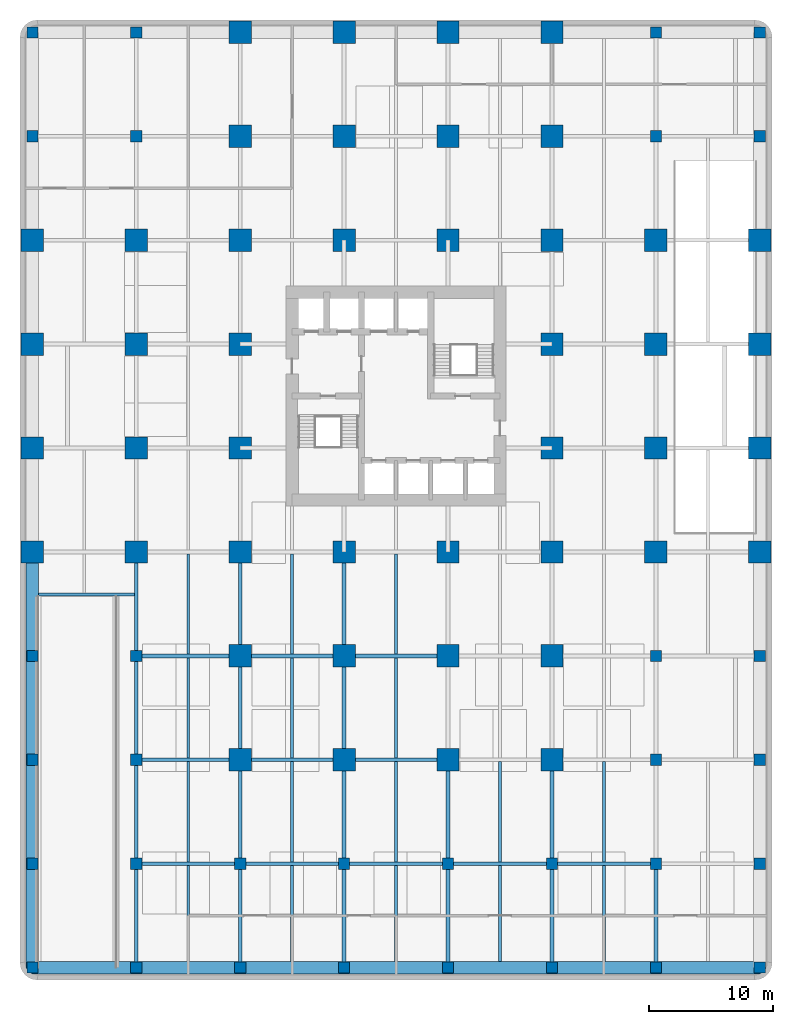
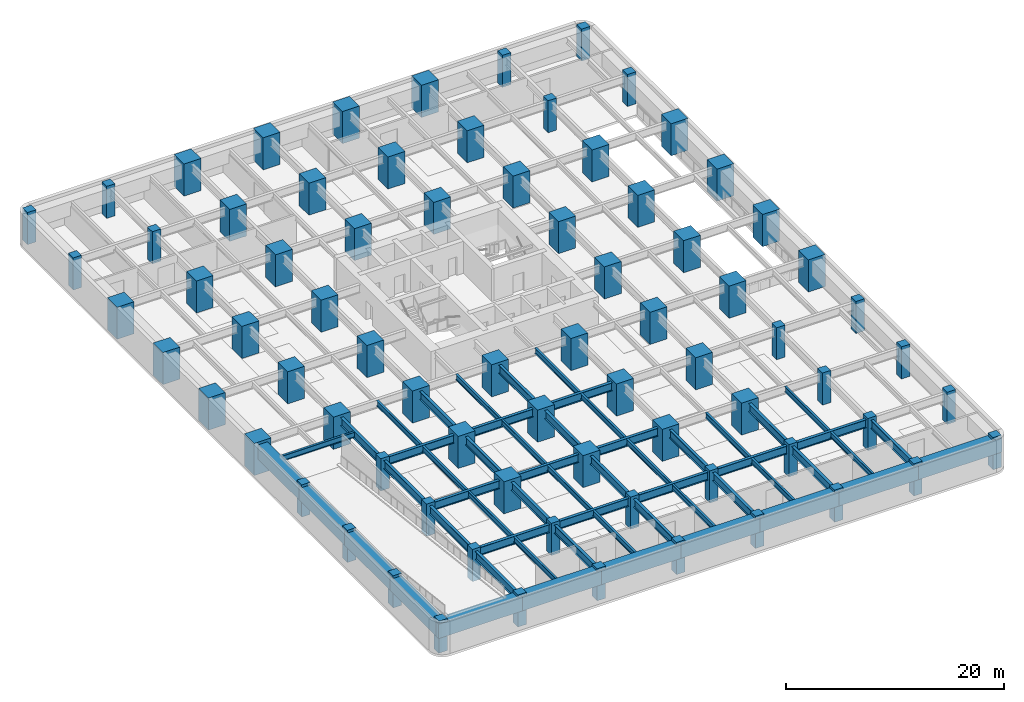
# One storey, part 1 of 9: 76 columns, 56 beams.
"""IFC4 building model written with IfcOpenShell, lengths in metres."""

from ifc_helpers import new_model, si_unit, direction, frame, origin, origin_2d, place, context, subcontext, project, spatial, rectangle, i_section, extrude, material, material_profile, profile_set, type_object, element, save


model = new_model("IFC4")

# Units and contexts
model_context = context("Model", 3, precision=1e-05, world=origin(), true_north=direction((0.0, 1.0)))
body_context = subcontext(model_context, "Body", "Model", "MODEL_VIEW")
ifc_project = project(units=[si_unit("LENGTHUNIT", "METRE"), si_unit("AREAUNIT", "SQUARE_METRE"), si_unit("VOLUMEUNIT", "CUBIC_METRE"), si_unit("PLANEANGLEUNIT", "RADIAN"), si_unit("MASSUNIT", "GRAM", prefix="KILO")], contexts=[model_context])

# Site, building, storey
site_placement = place(None, origin())
site = spatial("IfcSite", under=ifc_project, at=site_placement, CompositionType="ELEMENT")
building_placement = place(site_placement, origin())
building = spatial("IfcBuilding", under=site, at=building_placement, Name="Torre Alcanfor", CompositionType="ELEMENT")
storey_placement = place(building_placement, frame((0.0, 0.0, -3.60009765625)))
storey = spatial("IfcBuildingStorey", under=building, at=storey_placement, Name="B1", CompositionType="ELEMENT", Elevation=-3.60009765625)

# Columns
ifc_material_1 = material(Name="Concrete f'c 70 MPa", Category="concrete")
ifc_material_profile_1 = material_profile(ifc_material_1, rectangle(XDim=1.800048828125, YDim=1.800048828125, at=origin_2d()), Name="1800x1800")
ifc_profile_set_1 = profile_set([ifc_material_profile_1], Name="Concrete f'c 70 MPa")
column_type_1 = type_object("IfcColumnType", Name="RC column 1800x1800 f'c70", PredefinedType="COLUMN", material=ifc_profile_set_1)
for number, where, z_axis, x_axis, name in (
    (1, (0.0, 16.800048828125, 0.0), (0.0, 0.0, 1.0), (1.0, 0.0, 0.0), "Column 1/E B1"),
    (2, (0.0, 25.199951171875, 0.0), (0.0, 0.0, 1.0), (1.0, 0.0, 0.0), "Column 1/F B1"),
    (3, (0.0, 33.60009765625, 0.0), (0.0, 0.0, 1.0), (1.0, 0.0, 0.0), "Column 1/G B1"),
    (4, (0.0, 42.0, 0.0), (0.0, 0.0, 1.0), (1.0, 0.0, 0.0), "Column 1/H B1"),
    (5, (8.39990234375, 16.800048828125, 0.0), (0.0, 0.0, 1.0), (1.0, 0.0, 0.0), "Column 2/E B1"),
    (6, (8.39990234375, 25.199951171875, 0.0), (0.0, 0.0, 1.0), (1.0, 0.0, 0.0), "Column 2/F B1"),
    (7, (8.39990234375, 33.60009765625, 0.0), (0.0, 0.0, 1.0), (1.0, 0.0, 0.0), "Column 2/G B1"),
    (8, (8.39990234375, 42.0, 0.0), (0.0, 0.0, 1.0), (1.0, 0.0, 0.0), "Column 2/H B1"),
    (9, (16.800048828125, 0.0, 0.0), (0.0, 0.0, 1.0), (1.0, 0.0, 0.0), "Column 3/C B1"),
    (10, (16.800048828125, 8.39990234375, 0.0), (0.0, 0.0, 1.0), (1.0, 0.0, 0.0), "Column 3/D B1"),
    (11, (16.800048828125, 16.800048828125, 0.0), (0.0, 0.0, 1.0), (1.0, 0.0, 0.0), "Column 3/E B1"),
    (12, (16.800048828125, 25.199951171875, 0.0), (0.0, 0.0, 1.0), (1.0, 0.0, 0.0), "Column 3/F B1"),
    (13, (16.800048828125, 33.60009765625, 0.0), (0.0, 0.0, 1.0), (1.0, 0.0, 0.0), "Column 3/G B1"),
    (14, (16.800048828125, 42.0, 0.0), (0.0, 0.0, 1.0), (1.0, 0.0, 0.0), "Column 3/H B1"),
    (15, (16.800048828125, 50.39990234375, 0.0), (0.0, 0.0, 1.0), (1.0, 0.0, 0.0), "Column 3/J B1"),
    (16, (16.800048828125, 58.800048828125, 0.0), (0.0, 0.0, 1.0), (1.0, 0.0, 0.0), "Column 3/K B1"),
    (17, (25.199951171875, 0.0, 0.0), (0.0, 0.0, 1.0), (1.0, 0.0, 0.0), "Column 4/C B1"),
    (18, (25.199951171875, 8.39990234375, 0.0), (0.0, 0.0, 1.0), (1.0, 0.0, 0.0), "Column 4/D B1"),
    (19, (25.199951171875, 16.800048828125, 0.0), (0.0, 0.0, 1.0), (1.0, 0.0, 0.0), "Column 4/E B1"),
    (20, (25.199951171875, 42.0, 0.0), (0.0, 0.0, 1.0), (1.0, 0.0, 0.0), "Column 4/H B1"),
    (21, (25.199951171875, 50.39990234375, 0.0), (0.0, 0.0, 1.0), (1.0, 0.0, 0.0), "Column 4/J B1"),
    (22, (25.199951171875, 58.800048828125, 0.0), (0.0, 0.0, 1.0), (1.0, 0.0, 0.0), "Column 4/K B1"),
    (23, (33.60009765625, 0.0, 0.0), (0.0, 0.0, 1.0), (1.0, 0.0, 0.0), "Column 5/C B1"),
    (24, (33.60009765625, 8.39990234375, 0.0), (0.0, 0.0, 1.0), (1.0, 0.0, 0.0), "Column 5/D B1"),
    (25, (33.60009765625, 16.800048828125, 0.0), (0.0, 0.0, 1.0), (1.0, 0.0, 0.0), "Column 5/E B1"),
    (26, (33.60009765625, 42.0, 0.0), (0.0, 0.0, 1.0), (1.0, 0.0, 0.0), "Column 5/H B1"),
    (27, (33.60009765625, 50.39990234375, 0.0), (0.0, 0.0, 1.0), (1.0, 0.0, 0.0), "Column 5/J B1"),
    (28, (33.60009765625, 58.800048828125, 0.0), (0.0, 0.0, 1.0), (1.0, 0.0, 0.0), "Column 5/K B1"),
    (29, (42.0, 0.0, 0.0), (0.0, 0.0, 1.0), (1.0, 0.0, 0.0), "Column 6/C B1"),
    (30, (42.0, 8.39990234375, 0.0), (0.0, 0.0, 1.0), (1.0, 0.0, 0.0), "Column 6/D B1"),
    (31, (42.0, 16.800048828125, 0.0), (0.0, 0.0, 1.0), (1.0, 0.0, 0.0), "Column 6/E B1"),
    (32, (42.0, 25.199951171875, 0.0), (0.0, 0.0, 1.0), (1.0, 0.0, 0.0), "Column 6/F B1"),
    (33, (42.0, 33.60009765625, 0.0), (0.0, 0.0, 1.0), (1.0, 0.0, 0.0), "Column 6/G B1"),
    (34, (42.0, 42.0, 0.0), (0.0, 0.0, 1.0), (1.0, 0.0, 0.0), "Column 6/H B1"),
    (35, (42.0, 50.39990234375, 0.0), (0.0, 0.0, 1.0), (1.0, 0.0, 0.0), "Column 6/J B1"),
    (36, (42.0, 58.800048828125, 0.0), (0.0, 0.0, 1.0), (1.0, 0.0, 0.0), "Column 6/K B1"),
    (37, (50.39990234375, 16.800048828125, 0.0), (0.0, 0.0, 1.0), (1.0, 0.0, 0.0), "Column 7/E B1"),
    (38, (50.39990234375, 25.199951171875, 0.0), (0.0, 0.0, 1.0), (1.0, 0.0, 0.0), "Column 7/F B1"),
    (39, (50.39990234375, 33.60009765625, 0.0), (0.0, 0.0, 1.0), (1.0, 0.0, 0.0), "Column 7/G B1"),
    (40, (50.39990234375, 42.0, 0.0), (0.0, 0.0, 1.0), (1.0, 0.0, 0.0), "Column 7/H B1"),
    (41, (58.800048828125, 16.800048828125, 0.0), (0.0, 0.0, 1.0), (1.0, 0.0, 0.0), "Column 8/E B1"),
    (42, (58.800048828125, 25.199951171875, 0.0), (0.0, 0.0, 1.0), (1.0, 0.0, 0.0), "Column 8/F B1"),
    (43, (58.800048828125, 33.60009765625, 0.0), (0.0, 0.0, 1.0), (1.0, 0.0, 0.0), "Column 8/G B1"),
    (44, (58.800048828125, 42.0, 0.0), (0.0, 0.0, 1.0), (1.0, 0.0, 0.0), "Column 8/H B1"),
):
    element("IfcColumn", number, at=place(storey_placement, frame(where, z_axis=z_axis, x_axis=x_axis)), inside=storey, type_object=column_type_1, Name=name, PredefinedType="COLUMN", context=body_context, shape_type="SweptSolid", body=[
        extrude(rectangle(XDim=1.800048828125, YDim=1.800048828125, at=origin_2d()), origin(), (0.0, 0.0, 1.0), 3.60009765625),
    ])
ifc_material_2 = material(Name="Concrete f'c 70 MPa", Category="concrete")
ifc_material_profile_2 = material_profile(ifc_material_2, rectangle(XDim=0.89990234375, YDim=0.89990234375, at=origin_2d()), Name="900x900")
ifc_profile_set_2 = profile_set([ifc_material_profile_2], Name="Concrete f'c 70 MPa")
column_type_2 = type_object("IfcColumnType", Name="RC column 900x900 f'c70", PredefinedType="COLUMN", material=ifc_profile_set_2)
for number, where, z_axis, x_axis, name in (
    (45, (0.0, -16.800048828125, 0.0), (0.0, 0.0, 1.0), (1.0, 0.0, 0.0), "Column 1/A B1"),
    (46, (0.0, -8.39990234375, 0.0), (0.0, 0.0, 1.0), (1.0, 0.0, 0.0), "Column 1/B B1"),
    (47, (0.0, 0.0, 0.0), (0.0, 0.0, 1.0), (1.0, 0.0, 0.0), "Column 1/C B1"),
    (48, (0.0, 8.39990234375, 0.0), (0.0, 0.0, 1.0), (1.0, 0.0, 0.0), "Column 1/D B1"),
    (49, (0.0, 50.39990234375, 0.0), (0.0, 0.0, 1.0), (1.0, 0.0, 0.0), "Column 1/J B1"),
    (50, (0.0, 58.800048828125, 0.0), (0.0, 0.0, 1.0), (1.0, 0.0, 0.0), "Column 1/K B1"),
    (51, (8.39990234375, -16.800048828125, 0.0), (0.0, 0.0, 1.0), (1.0, 0.0, 0.0), "Column 2/A B1"),
    (52, (8.39990234375, -8.39990234375, 0.0), (0.0, 0.0, 1.0), (1.0, 0.0, 0.0), "Column 2/B B1"),
    (53, (8.39990234375, 0.0, 0.0), (0.0, 0.0, 1.0), (1.0, 0.0, 0.0), "Column 2/C B1"),
    (54, (8.39990234375, 8.39990234375, 0.0), (0.0, 0.0, 1.0), (1.0, 0.0, 0.0), "Column 2/D B1"),
    (55, (8.39990234375, 50.39990234375, 0.0), (0.0, 0.0, 1.0), (1.0, 0.0, 0.0), "Column 2/J B1"),
    (56, (8.39990234375, 58.800048828125, 0.0), (0.0, 0.0, 1.0), (1.0, 0.0, 0.0), "Column 2/K B1"),
    (57, (16.800048828125, -16.800048828125, 0.0), (0.0, 0.0, 1.0), (1.0, 0.0, 0.0), "Column 3/A B1"),
    (58, (16.800048828125, -8.39990234375, 0.0), (0.0, 0.0, 1.0), (1.0, 0.0, 0.0), "Column 3/B B1"),
    (59, (25.199951171875, -16.800048828125, 0.0), (0.0, 0.0, 1.0), (1.0, 0.0, 0.0), "Column 4/A B1"),
    (60, (25.199951171875, -8.39990234375, 0.0), (0.0, 0.0, 1.0), (1.0, 0.0, 0.0), "Column 4/B B1"),
    (61, (33.60009765625, -16.800048828125, 0.0), (0.0, 0.0, 1.0), (1.0, 0.0, 0.0), "Column 5/A B1"),
    (62, (33.60009765625, -8.39990234375, 0.0), (0.0, 0.0, 1.0), (1.0, 0.0, 0.0), "Column 5/B B1"),
    (63, (42.0, -16.800048828125, 0.0), (0.0, 0.0, 1.0), (1.0, 0.0, 0.0), "Column 6/A B1"),
    (64, (42.0, -8.39990234375, 0.0), (0.0, 0.0, 1.0), (1.0, 0.0, 0.0), "Column 6/B B1"),
    (65, (50.39990234375, -16.800048828125, 0.0), (0.0, 0.0, 1.0), (1.0, 0.0, 0.0), "Column 7/A B1"),
    (66, (50.39990234375, -8.39990234375, 0.0), (0.0, 0.0, 1.0), (1.0, 0.0, 0.0), "Column 7/B B1"),
    (67, (50.39990234375, 0.0, 0.0), (0.0, 0.0, 1.0), (1.0, 0.0, 0.0), "Column 7/C B1"),
    (68, (50.39990234375, 8.39990234375, 0.0), (0.0, 0.0, 1.0), (1.0, 0.0, 0.0), "Column 7/D B1"),
    (69, (50.39990234375, 50.39990234375, 0.0), (0.0, 0.0, 1.0), (1.0, 0.0, 0.0), "Column 7/J B1"),
    (70, (50.39990234375, 58.800048828125, 0.0), (0.0, 0.0, 1.0), (1.0, 0.0, 0.0), "Column 7/K B1"),
    (71, (58.800048828125, -16.800048828125, 0.0), (0.0, 0.0, 1.0), (1.0, 0.0, 0.0), "Column 8/A B1"),
    (72, (58.800048828125, -8.39990234375, 0.0), (0.0, 0.0, 1.0), (1.0, 0.0, 0.0), "Column 8/B B1"),
    (73, (58.800048828125, 0.0, 0.0), (0.0, 0.0, 1.0), (1.0, 0.0, 0.0), "Column 8/C B1"),
    (74, (58.800048828125, 8.39990234375, 0.0), (0.0, 0.0, 1.0), (1.0, 0.0, 0.0), "Column 8/D B1"),
    (75, (58.800048828125, 50.39990234375, 0.0), (0.0, 0.0, 1.0), (1.0, 0.0, 0.0), "Column 8/J B1"),
    (76, (58.800048828125, 58.800048828125, 0.0), (0.0, 0.0, 1.0), (1.0, 0.0, 0.0), "Column 8/K B1"),
):
    element("IfcColumn", number, at=place(storey_placement, frame(where, z_axis=z_axis, x_axis=x_axis)), inside=storey, type_object=column_type_2, Name=name, PredefinedType="COLUMN", context=body_context, shape_type="SweptSolid", body=[
        extrude(rectangle(XDim=0.89990234375, YDim=0.89990234375, at=origin_2d()), origin(), (0.0, 0.0, 1.0), 3.60009765625),
    ])

# Beams
ifc_material_3 = material(Name="Steel ASTM A992 Grade 50", Category="steel")
ifc_material_profile_3 = material_profile(ifc_material_3, i_section(OverallWidth=0.3046875, OverallDepth=0.911865234375, WebThickness=0.015869140625, FlangeThickness=0.02392578125, at=origin_2d()), Name="W36x150")
ifc_profile_set_3 = profile_set([ifc_material_profile_3], Name="Steel ASTM A992 Grade 50")
beam_type_1 = type_object("IfcBeamType", Name="Girder W36x150", PredefinedType="BEAM", material=ifc_profile_set_3)
beam_1_placement = place(storey_placement, frame((8.39990234375, -8.39990234375, 2.84423828125), z_axis=(1.0, 0.0, 0.0), x_axis=(0.0, 1.0, 0.0)))
element("IfcBeam", 77, at=beam_1_placement, inside=storey, type_object=beam_type_1, Name="Beam 2B-3B under L00", PredefinedType="BEAM", context=body_context, shape_type="SweptSolid", body=[
    extrude(i_section(OverallWidth=0.3046875, OverallDepth=0.911865234375, WebThickness=0.015869140625, FlangeThickness=0.02392578125, at=origin_2d()), origin(), (0.0, 0.0, 1.0), 8.400146484375),
])
beam_2_placement = place(storey_placement, frame((16.800048828125, -8.39990234375, 2.84423828125), z_axis=(1.0, 0.0, 0.0), x_axis=(0.0, 1.0, 0.0)))
element("IfcBeam", 78, at=beam_2_placement, inside=storey, type_object=beam_type_1, Name="Beam 3B-4B under L00", PredefinedType="BEAM", context=body_context, shape_type="SweptSolid", body=[
    extrude(i_section(OverallWidth=0.3046875, OverallDepth=0.911865234375, WebThickness=0.015869140625, FlangeThickness=0.02392578125, at=origin_2d()), origin(), (0.0, 0.0, 1.0), 8.39990234375),
])
beam_3_placement = place(storey_placement, frame((25.199951171875, -8.39990234375, 2.84423828125), z_axis=(1.0, 0.0, 0.0), x_axis=(0.0, 1.0, 0.0)))
element("IfcBeam", 79, at=beam_3_placement, inside=storey, type_object=beam_type_1, Name="Beam 4B-5B under L00", PredefinedType="BEAM", context=body_context, shape_type="SweptSolid", body=[
    extrude(i_section(OverallWidth=0.3046875, OverallDepth=0.911865234375, WebThickness=0.015869140625, FlangeThickness=0.02392578125, at=origin_2d()), origin(), (0.0, 0.0, 1.0), 8.400146484375),
])
for number, where, z_axis, x_axis, name in (
    (80, (33.60009765625, -8.39990234375, 2.84423828125), (1.0, 0.0, 0.0), (0.0, 1.0, 0.0), "Beam 5B-6B under L00"),
    (81, (42.0, -8.39990234375, 2.84423828125), (1.0, 0.0, 0.0), (0.0, 1.0, 0.0), "Beam 6B-7B under L00"),
):
    element("IfcBeam", number, at=place(storey_placement, frame(where, z_axis=z_axis, x_axis=x_axis)), inside=storey, type_object=beam_type_1, Name=name, PredefinedType="BEAM", context=body_context, shape_type="SweptSolid", body=[
        extrude(i_section(OverallWidth=0.3046875, OverallDepth=0.911865234375, WebThickness=0.015869140625, FlangeThickness=0.02392578125, at=origin_2d()), origin(), (0.0, 0.0, 1.0), 8.39990234375),
    ])
beam_4_placement = place(storey_placement, frame((8.39990234375, 0.0, 2.84423828125), z_axis=(1.0, 0.0, 0.0), x_axis=(0.0, 1.0, 0.0)))
element("IfcBeam", 82, at=beam_4_placement, inside=storey, type_object=beam_type_1, Name="Beam 2C-3C under L00", PredefinedType="BEAM", context=body_context, shape_type="SweptSolid", body=[
    extrude(i_section(OverallWidth=0.3046875, OverallDepth=0.911865234375, WebThickness=0.015869140625, FlangeThickness=0.02392578125, at=origin_2d()), origin(), (0.0, 0.0, 1.0), 8.400146484375),
])
beam_5_placement = place(storey_placement, frame((16.800048828125, 0.0, 2.84423828125), z_axis=(1.0, 0.0, 0.0), x_axis=(0.0, 1.0, 0.0)))
element("IfcBeam", 83, at=beam_5_placement, inside=storey, type_object=beam_type_1, Name="Beam 3C-4C under L00", PredefinedType="BEAM", context=body_context, shape_type="SweptSolid", body=[
    extrude(i_section(OverallWidth=0.3046875, OverallDepth=0.911865234375, WebThickness=0.015869140625, FlangeThickness=0.02392578125, at=origin_2d()), origin(), (0.0, 0.0, 1.0), 8.39990234375),
])
for number, where, z_axis, x_axis, name in (
    (84, (25.199951171875, 0.0, 2.84423828125), (1.0, 0.0, 0.0), (0.0, 1.0, 0.0), "Beam 4C-5C under L00"),
    (85, (8.39990234375, 8.39990234375, 2.84423828125), (1.0, 0.0, 0.0), (0.0, 1.0, 0.0), "Beam 2D-3D under L00"),
):
    element("IfcBeam", number, at=place(storey_placement, frame(where, z_axis=z_axis, x_axis=x_axis)), inside=storey, type_object=beam_type_1, Name=name, PredefinedType="BEAM", context=body_context, shape_type="SweptSolid", body=[
        extrude(i_section(OverallWidth=0.3046875, OverallDepth=0.911865234375, WebThickness=0.015869140625, FlangeThickness=0.02392578125, at=origin_2d()), origin(), (0.0, 0.0, 1.0), 8.400146484375),
    ])
beam_6_placement = place(storey_placement, frame((16.800048828125, 8.39990234375, 2.84423828125), z_axis=(1.0, 0.0, 0.0), x_axis=(0.0, 1.0, 0.0)))
element("IfcBeam", 86, at=beam_6_placement, inside=storey, type_object=beam_type_1, Name="Beam 3D-4D under L00", PredefinedType="BEAM", context=body_context, shape_type="SweptSolid", body=[
    extrude(i_section(OverallWidth=0.3046875, OverallDepth=0.911865234375, WebThickness=0.015869140625, FlangeThickness=0.02392578125, at=origin_2d()), origin(), (0.0, 0.0, 1.0), 8.39990234375),
])
for number, where, z_axis, x_axis, name in (
    (87, (25.199951171875, 8.39990234375, 2.84423828125), (1.0, 0.0, 0.0), (0.0, 1.0, 0.0), "Beam 4D-5D under L00"),
    (88, (8.39990234375, -16.800048828125, 2.84423828125), (0.0, 1.0, 0.0), (-1.0, 0.0, 0.0), "Beam 2A-2B under L00"),
):
    element("IfcBeam", number, at=place(storey_placement, frame(where, z_axis=z_axis, x_axis=x_axis)), inside=storey, type_object=beam_type_1, Name=name, PredefinedType="BEAM", context=body_context, shape_type="SweptSolid", body=[
        extrude(i_section(OverallWidth=0.3046875, OverallDepth=0.911865234375, WebThickness=0.015869140625, FlangeThickness=0.02392578125, at=origin_2d()), origin(), (0.0, 0.0, 1.0), 8.400146484375),
    ])
for number, where, z_axis, x_axis, name in (
    (89, (8.39990234375, -8.39990234375, 2.84423828125), (0.0, 1.0, 0.0), (-1.0, 0.0, 0.0), "Beam 2B-2C under L00"),
    (90, (8.39990234375, 0.0, 2.84423828125), (0.0, 1.0, 0.0), (-1.0, 0.0, 0.0), "Beam 2C-2D under L00"),
):
    element("IfcBeam", number, at=place(storey_placement, frame(where, z_axis=z_axis, x_axis=x_axis)), inside=storey, type_object=beam_type_1, Name=name, PredefinedType="BEAM", context=body_context, shape_type="SweptSolid", body=[
        extrude(i_section(OverallWidth=0.3046875, OverallDepth=0.911865234375, WebThickness=0.015869140625, FlangeThickness=0.02392578125, at=origin_2d()), origin(), (0.0, 0.0, 1.0), 8.39990234375),
    ])
for number, where, z_axis, x_axis, name in (
    (91, (8.39990234375, 8.39990234375, 2.84423828125), (0.0, 1.0, 0.0), (-1.0, 0.0, 0.0), "Beam 2D-2E under L00"),
    (92, (16.800048828125, -16.800048828125, 2.84423828125), (0.0, 1.0, 0.0), (-1.0, 0.0, 0.0), "Beam 3A-3B under L00"),
):
    element("IfcBeam", number, at=place(storey_placement, frame(where, z_axis=z_axis, x_axis=x_axis)), inside=storey, type_object=beam_type_1, Name=name, PredefinedType="BEAM", context=body_context, shape_type="SweptSolid", body=[
        extrude(i_section(OverallWidth=0.3046875, OverallDepth=0.911865234375, WebThickness=0.015869140625, FlangeThickness=0.02392578125, at=origin_2d()), origin(), (0.0, 0.0, 1.0), 8.400146484375),
    ])
for number, where, z_axis, x_axis, name in (
    (93, (16.800048828125, -8.39990234375, 2.84423828125), (0.0, 1.0, 0.0), (-1.0, 0.0, 0.0), "Beam 3B-3C under L00"),
    (94, (16.800048828125, 0.0, 2.84423828125), (0.0, 1.0, 0.0), (-1.0, 0.0, 0.0), "Beam 3C-3D under L00"),
):
    element("IfcBeam", number, at=place(storey_placement, frame(where, z_axis=z_axis, x_axis=x_axis)), inside=storey, type_object=beam_type_1, Name=name, PredefinedType="BEAM", context=body_context, shape_type="SweptSolid", body=[
        extrude(i_section(OverallWidth=0.3046875, OverallDepth=0.911865234375, WebThickness=0.015869140625, FlangeThickness=0.02392578125, at=origin_2d()), origin(), (0.0, 0.0, 1.0), 8.39990234375),
    ])
for number, where, z_axis, x_axis, name in (
    (95, (16.800048828125, 8.39990234375, 2.84423828125), (0.0, 1.0, 0.0), (-1.0, 0.0, 0.0), "Beam 3D-3E under L00"),
    (96, (25.199951171875, -16.800048828125, 2.84423828125), (0.0, 1.0, 0.0), (-1.0, 0.0, 0.0), "Beam 4A-4B under L00"),
):
    element("IfcBeam", number, at=place(storey_placement, frame(where, z_axis=z_axis, x_axis=x_axis)), inside=storey, type_object=beam_type_1, Name=name, PredefinedType="BEAM", context=body_context, shape_type="SweptSolid", body=[
        extrude(i_section(OverallWidth=0.3046875, OverallDepth=0.911865234375, WebThickness=0.015869140625, FlangeThickness=0.02392578125, at=origin_2d()), origin(), (0.0, 0.0, 1.0), 8.400146484375),
    ])
for number, where, z_axis, x_axis, name in (
    (97, (25.199951171875, -8.39990234375, 2.84423828125), (0.0, 1.0, 0.0), (-1.0, 0.0, 0.0), "Beam 4B-4C under L00"),
    (98, (25.199951171875, 0.0, 2.84423828125), (0.0, 1.0, 0.0), (-1.0, 0.0, 0.0), "Beam 4C-4D under L00"),
):
    element("IfcBeam", number, at=place(storey_placement, frame(where, z_axis=z_axis, x_axis=x_axis)), inside=storey, type_object=beam_type_1, Name=name, PredefinedType="BEAM", context=body_context, shape_type="SweptSolid", body=[
        extrude(i_section(OverallWidth=0.3046875, OverallDepth=0.911865234375, WebThickness=0.015869140625, FlangeThickness=0.02392578125, at=origin_2d()), origin(), (0.0, 0.0, 1.0), 8.39990234375),
    ])
for number, where, z_axis, x_axis, name in (
    (99, (25.199951171875, 8.39990234375, 2.84423828125), (0.0, 1.0, 0.0), (-1.0, 0.0, 0.0), "Beam 4D-4E under L00"),
    (100, (33.60009765625, -16.800048828125, 2.84423828125), (0.0, 1.0, 0.0), (-1.0, 0.0, 0.0), "Beam 5A-5B under L00"),
):
    element("IfcBeam", number, at=place(storey_placement, frame(where, z_axis=z_axis, x_axis=x_axis)), inside=storey, type_object=beam_type_1, Name=name, PredefinedType="BEAM", context=body_context, shape_type="SweptSolid", body=[
        extrude(i_section(OverallWidth=0.3046875, OverallDepth=0.911865234375, WebThickness=0.015869140625, FlangeThickness=0.02392578125, at=origin_2d()), origin(), (0.0, 0.0, 1.0), 8.400146484375),
    ])
beam_7_placement = place(storey_placement, frame((33.60009765625, -8.39990234375, 2.84423828125), z_axis=(0.0, 1.0, 0.0), x_axis=(-1.0, 0.0, 0.0)))
element("IfcBeam", 101, at=beam_7_placement, inside=storey, type_object=beam_type_1, Name="Beam 5B-5C under L00", PredefinedType="BEAM", context=body_context, shape_type="SweptSolid", body=[
    extrude(i_section(OverallWidth=0.3046875, OverallDepth=0.911865234375, WebThickness=0.015869140625, FlangeThickness=0.02392578125, at=origin_2d()), origin(), (0.0, 0.0, 1.0), 8.39990234375),
])
beam_8_placement = place(storey_placement, frame((42.0, -16.800048828125, 2.84423828125), z_axis=(0.0, 1.0, 0.0), x_axis=(-1.0, 0.0, 0.0)))
element("IfcBeam", 102, at=beam_8_placement, inside=storey, type_object=beam_type_1, Name="Beam 6A-6B under L00", PredefinedType="BEAM", context=body_context, shape_type="SweptSolid", body=[
    extrude(i_section(OverallWidth=0.3046875, OverallDepth=0.911865234375, WebThickness=0.015869140625, FlangeThickness=0.02392578125, at=origin_2d()), origin(), (0.0, 0.0, 1.0), 8.400146484375),
])
beam_9_placement = place(storey_placement, frame((42.0, -8.39990234375, 2.84423828125), z_axis=(0.0, 1.0, 0.0), x_axis=(-1.0, 0.0, 0.0)))
element("IfcBeam", 103, at=beam_9_placement, inside=storey, type_object=beam_type_1, Name="Beam 6B-6C under L00", PredefinedType="BEAM", context=body_context, shape_type="SweptSolid", body=[
    extrude(i_section(OverallWidth=0.3046875, OverallDepth=0.911865234375, WebThickness=0.015869140625, FlangeThickness=0.02392578125, at=origin_2d()), origin(), (0.0, 0.0, 1.0), 8.39990234375),
])
beam_10_placement = place(storey_placement, frame((50.39990234375, -16.800048828125, 2.84423828125), z_axis=(0.0, 1.0, 0.0), x_axis=(-1.0, 0.0, 0.0)))
element("IfcBeam", 104, at=beam_10_placement, inside=storey, type_object=beam_type_1, Name="Beam 7A-7B under L00", PredefinedType="BEAM", context=body_context, shape_type="SweptSolid", body=[
    extrude(i_section(OverallWidth=0.3046875, OverallDepth=0.911865234375, WebThickness=0.015869140625, FlangeThickness=0.02392578125, at=origin_2d()), origin(), (0.0, 0.0, 1.0), 8.400146484375),
])
ifc_material_4 = material(Name="Concrete f'c 70 MPa", Category="concrete")
ifc_material_profile_4 = material_profile(ifc_material_4, rectangle(XDim=1.0, YDim=1.60009765625, at=origin_2d()), Name="1000x1600")
ifc_profile_set_4 = profile_set([ifc_material_profile_4], Name="Concrete f'c 70 MPa")
beam_type_2 = type_object("IfcBeamType", Name="RC perimeter beam 1000x1600", PredefinedType="BEAM", material=ifc_profile_set_4)
beam_11_placement = place(storey_placement, frame((-0.5, -16.800048828125, 2.5), z_axis=(1.0, 0.0, 0.0), x_axis=(0.0, 1.0, 0.0)))
element("IfcBeam", 105, at=beam_11_placement, inside=storey, type_object=beam_type_2, Name="Beam 1A-2A under L00", PredefinedType="BEAM", context=body_context, shape_type="SweptSolid", body=[
    extrude(rectangle(XDim=1.0, YDim=1.60009765625, at=origin_2d()), origin(), (0.0, 0.0, 1.0), 8.89990234375),
])
beam_12_placement = place(storey_placement, frame((8.39990234375, -16.800048828125, 2.5), z_axis=(1.0, 0.0, 0.0), x_axis=(0.0, 1.0, 0.0)))
element("IfcBeam", 106, at=beam_12_placement, inside=storey, type_object=beam_type_2, Name="Beam 2A-3A under L00", PredefinedType="BEAM", context=body_context, shape_type="SweptSolid", body=[
    extrude(rectangle(XDim=1.0, YDim=1.60009765625, at=origin_2d()), origin(), (0.0, 0.0, 1.0), 8.400146484375),
])
beam_13_placement = place(storey_placement, frame((16.800048828125, -16.800048828125, 2.5), z_axis=(1.0, 0.0, 0.0), x_axis=(0.0, 1.0, 0.0)))
element("IfcBeam", 107, at=beam_13_placement, inside=storey, type_object=beam_type_2, Name="Beam 3A-4A under L00", PredefinedType="BEAM", context=body_context, shape_type="SweptSolid", body=[
    extrude(rectangle(XDim=1.0, YDim=1.60009765625, at=origin_2d()), origin(), (0.0, 0.0, 1.0), 8.39990234375),
])
beam_14_placement = place(storey_placement, frame((25.199951171875, -16.800048828125, 2.5), z_axis=(1.0, 0.0, 0.0), x_axis=(0.0, 1.0, 0.0)))
element("IfcBeam", 108, at=beam_14_placement, inside=storey, type_object=beam_type_2, Name="Beam 4A-5A under L00", PredefinedType="BEAM", context=body_context, shape_type="SweptSolid", body=[
    extrude(rectangle(XDim=1.0, YDim=1.60009765625, at=origin_2d()), origin(), (0.0, 0.0, 1.0), 8.400146484375),
])
for number, where, z_axis, x_axis, name in (
    (109, (33.60009765625, -16.800048828125, 2.5), (1.0, 0.0, 0.0), (0.0, 1.0, 0.0), "Beam 5A-6A under L00"),
    (110, (42.0, -16.800048828125, 2.5), (1.0, 0.0, 0.0), (0.0, 1.0, 0.0), "Beam 6A-7A under L00"),
):
    element("IfcBeam", number, at=place(storey_placement, frame(where, z_axis=z_axis, x_axis=x_axis)), inside=storey, type_object=beam_type_2, Name=name, PredefinedType="BEAM", context=body_context, shape_type="SweptSolid", body=[
        extrude(rectangle(XDim=1.0, YDim=1.60009765625, at=origin_2d()), origin(), (0.0, 0.0, 1.0), 8.39990234375),
    ])
beam_15_placement = place(storey_placement, frame((50.39990234375, -16.800048828125, 2.5), z_axis=(1.0, 0.0, 0.0), x_axis=(0.0, 1.0, 0.0)))
element("IfcBeam", 111, at=beam_15_placement, inside=storey, type_object=beam_type_2, Name="Beam 7A-8A under L00", PredefinedType="BEAM", context=body_context, shape_type="SweptSolid", body=[
    extrude(rectangle(XDim=1.0, YDim=1.60009765625, at=origin_2d()), origin(), (0.0, 0.0, 1.0), 8.900146484375),
])
beam_16_placement = place(storey_placement, frame((0.0, -16.800048828125, 2.5), z_axis=(0.0, 1.0, 0.0), x_axis=(-1.0, 0.0, 0.0)))
element("IfcBeam", 112, at=beam_16_placement, inside=storey, type_object=beam_type_2, Name="Beam 1A-1B under L00", PredefinedType="BEAM", context=body_context, shape_type="SweptSolid", body=[
    extrude(rectangle(XDim=1.0, YDim=1.60009765625, at=origin_2d()), origin(), (0.0, 0.0, 1.0), 8.400146484375),
])
for number, where, z_axis, x_axis, name in (
    (113, (0.0, -8.39990234375, 2.5), (0.0, 1.0, 0.0), (-1.0, 0.0, 0.0), "Beam 1B-1C under L00"),
    (114, (0.0, 0.0, 2.5), (0.0, 1.0, 0.0), (-1.0, 0.0, 0.0), "Beam 1C-1D under L00"),
):
    element("IfcBeam", number, at=place(storey_placement, frame(where, z_axis=z_axis, x_axis=x_axis)), inside=storey, type_object=beam_type_2, Name=name, PredefinedType="BEAM", context=body_context, shape_type="SweptSolid", body=[
        extrude(rectangle(XDim=1.0, YDim=1.60009765625, at=origin_2d()), origin(), (0.0, 0.0, 1.0), 8.39990234375),
    ])
beam_17_placement = place(storey_placement, frame((0.0, 8.39990234375, 2.5), z_axis=(0.0, 1.0, 0.0), x_axis=(-1.0, 0.0, 0.0)))
element("IfcBeam", 115, at=beam_17_placement, inside=storey, type_object=beam_type_2, Name="Beam 1D-1E under L00", PredefinedType="BEAM", context=body_context, shape_type="SweptSolid", body=[
    extrude(rectangle(XDim=1.0, YDim=1.60009765625, at=origin_2d()), origin(), (0.0, 0.0, 1.0), 8.400146484375),
])
ifc_material_5 = material(Name="Steel ASTM A992 Grade 50", Category="steel")
ifc_material_profile_5 = material_profile(ifc_material_5, i_section(OverallWidth=0.22900390625, OverallDepth=0.612060546875, WebThickness=0.011962890625, FlangeThickness=0.01953125, at=origin_2d()), Name="W24x84")
ifc_profile_set_5 = profile_set([ifc_material_profile_5], Name="Steel ASTM A992 Grade 50")
beam_type_3 = type_object("IfcBeamType", Name="Ramp opening trimmer beam W24x84", PredefinedType="BEAM", material=ifc_profile_set_5)
beam_18_placement = place(storey_placement, frame((0.5, 13.35009765625, 2.994140625), z_axis=(1.0, 0.0, 0.0), x_axis=(0.0, 1.0, 0.0)))
element("IfcBeam", 116, at=beam_18_placement, inside=storey, type_object=beam_type_3, Name="Beam 113_35-213_35 under L00", PredefinedType="BEAM", context=body_context, shape_type="SweptSolid", body=[
    extrude(i_section(OverallWidth=0.22900390625, OverallDepth=0.612060546875, WebThickness=0.011962890625, FlangeThickness=0.01953125, at=origin_2d()), origin(), (0.0, 0.0, 1.0), 7.748046875),
])
ifc_material_6 = material(Name="Steel ASTM A992 Grade 50", Category="steel")
ifc_material_profile_6 = material_profile(ifc_material_6, i_section(OverallWidth=0.22900390625, OverallDepth=0.612060546875, WebThickness=0.011962890625, FlangeThickness=0.01953125, at=origin_2d()), Name="W24x84")
ifc_profile_set_6 = profile_set([ifc_material_profile_6], Name="Steel ASTM A992 Grade 50")
beam_type_4 = type_object("IfcBeamType", Name="Secondary beam W24x84", PredefinedType="BEAM", material=ifc_profile_set_6)
beam_19_placement = place(storey_placement, frame((12.60009765625, -16.300048828125, 2.994140625), z_axis=(0.0, 1.0, 0.0), x_axis=(-1.0, 0.0, 0.0)))
element("IfcBeam", 117, at=beam_19_placement, inside=storey, type_object=beam_type_4, Name="Beam 12_6A-12_6B under L00", PredefinedType="BEAM", context=body_context, shape_type="SweptSolid", body=[
    extrude(i_section(OverallWidth=0.22900390625, OverallDepth=0.612060546875, WebThickness=0.011962890625, FlangeThickness=0.01953125, at=origin_2d()), origin(), (0.0, 0.0, 1.0), 7.748046875),
])
for number, where, z_axis, x_axis, name in (
    (118, (12.60009765625, -8.248046875, 2.994140625), (0.0, 1.0, 0.0), (-1.0, 0.0, 0.0), "Beam 12_6B-12_6C under L00"),
    (119, (12.60009765625, 0.152099609375, 2.994140625), (0.0, 1.0, 0.0), (-1.0, 0.0, 0.0), "Beam 12_6C-12_6D under L00"),
    (120, (12.60009765625, 8.552001953125, 2.994140625), (0.0, 1.0, 0.0), (-1.0, 0.0, 0.0), "Beam 12_6D-12_6E under L00"),
):
    element("IfcBeam", number, at=place(storey_placement, frame(where, z_axis=z_axis, x_axis=x_axis)), inside=storey, type_object=beam_type_4, Name=name, PredefinedType="BEAM", context=body_context, shape_type="SweptSolid", body=[
        extrude(i_section(OverallWidth=0.22900390625, OverallDepth=0.612060546875, WebThickness=0.011962890625, FlangeThickness=0.01953125, at=origin_2d()), origin(), (0.0, 0.0, 1.0), 8.095947265625),
    ])
beam_20_placement = place(storey_placement, frame((21.0, -16.300048828125, 2.994140625), z_axis=(0.0, 1.0, 0.0), x_axis=(-1.0, 0.0, 0.0)))
element("IfcBeam", 121, at=beam_20_placement, inside=storey, type_object=beam_type_4, Name="Beam 21A-21B under L00", PredefinedType="BEAM", context=body_context, shape_type="SweptSolid", body=[
    extrude(i_section(OverallWidth=0.22900390625, OverallDepth=0.612060546875, WebThickness=0.011962890625, FlangeThickness=0.01953125, at=origin_2d()), origin(), (0.0, 0.0, 1.0), 7.748046875),
])
for number, where, z_axis, x_axis, name in (
    (122, (21.0, -8.248046875, 2.994140625), (0.0, 1.0, 0.0), (-1.0, 0.0, 0.0), "Beam 21B-21C under L00"),
    (123, (21.0, 0.152099609375, 2.994140625), (0.0, 1.0, 0.0), (-1.0, 0.0, 0.0), "Beam 21C-21D under L00"),
    (124, (21.0, 8.552001953125, 2.994140625), (0.0, 1.0, 0.0), (-1.0, 0.0, 0.0), "Beam 21D-21E under L00"),
):
    element("IfcBeam", number, at=place(storey_placement, frame(where, z_axis=z_axis, x_axis=x_axis)), inside=storey, type_object=beam_type_4, Name=name, PredefinedType="BEAM", context=body_context, shape_type="SweptSolid", body=[
        extrude(i_section(OverallWidth=0.22900390625, OverallDepth=0.612060546875, WebThickness=0.011962890625, FlangeThickness=0.01953125, at=origin_2d()), origin(), (0.0, 0.0, 1.0), 8.095947265625),
    ])
beam_21_placement = place(storey_placement, frame((29.39990234375, -16.300048828125, 2.994140625), z_axis=(0.0, 1.0, 0.0), x_axis=(-1.0, 0.0, 0.0)))
element("IfcBeam", 125, at=beam_21_placement, inside=storey, type_object=beam_type_4, Name="Beam 29_4A-29_4B under L00", PredefinedType="BEAM", context=body_context, shape_type="SweptSolid", body=[
    extrude(i_section(OverallWidth=0.22900390625, OverallDepth=0.612060546875, WebThickness=0.011962890625, FlangeThickness=0.01953125, at=origin_2d()), origin(), (0.0, 0.0, 1.0), 7.748046875),
])
for number, where, z_axis, x_axis, name in (
    (126, (29.39990234375, -8.248046875, 2.994140625), (0.0, 1.0, 0.0), (-1.0, 0.0, 0.0), "Beam 29_4B-29_4C under L00"),
    (127, (29.39990234375, 0.152099609375, 2.994140625), (0.0, 1.0, 0.0), (-1.0, 0.0, 0.0), "Beam 29_4C-29_4D under L00"),
    (128, (29.39990234375, 8.552001953125, 2.994140625), (0.0, 1.0, 0.0), (-1.0, 0.0, 0.0), "Beam 29_4D-29_4E under L00"),
):
    element("IfcBeam", number, at=place(storey_placement, frame(where, z_axis=z_axis, x_axis=x_axis)), inside=storey, type_object=beam_type_4, Name=name, PredefinedType="BEAM", context=body_context, shape_type="SweptSolid", body=[
        extrude(i_section(OverallWidth=0.22900390625, OverallDepth=0.612060546875, WebThickness=0.011962890625, FlangeThickness=0.01953125, at=origin_2d()), origin(), (0.0, 0.0, 1.0), 8.095947265625),
    ])
beam_22_placement = place(storey_placement, frame((37.800048828125, -16.300048828125, 2.994140625), z_axis=(0.0, 1.0, 0.0), x_axis=(-1.0, 0.0, 0.0)))
element("IfcBeam", 129, at=beam_22_placement, inside=storey, type_object=beam_type_4, Name="Beam 37_8A-37_8B under L00", PredefinedType="BEAM", context=body_context, shape_type="SweptSolid", body=[
    extrude(i_section(OverallWidth=0.22900390625, OverallDepth=0.612060546875, WebThickness=0.011962890625, FlangeThickness=0.01953125, at=origin_2d()), origin(), (0.0, 0.0, 1.0), 7.748046875),
])
beam_23_placement = place(storey_placement, frame((37.800048828125, -8.248046875, 2.994140625), z_axis=(0.0, 1.0, 0.0), x_axis=(-1.0, 0.0, 0.0)))
element("IfcBeam", 130, at=beam_23_placement, inside=storey, type_object=beam_type_4, Name="Beam 37_8B-37_8C under L00", PredefinedType="BEAM", context=body_context, shape_type="SweptSolid", body=[
    extrude(i_section(OverallWidth=0.22900390625, OverallDepth=0.612060546875, WebThickness=0.011962890625, FlangeThickness=0.01953125, at=origin_2d()), origin(), (0.0, 0.0, 1.0), 8.095947265625),
])
beam_24_placement = place(storey_placement, frame((46.199951171875, -16.300048828125, 2.994140625), z_axis=(0.0, 1.0, 0.0), x_axis=(-1.0, 0.0, 0.0)))
element("IfcBeam", 131, at=beam_24_placement, inside=storey, type_object=beam_type_4, Name="Beam 46_2A-46_2B under L00", PredefinedType="BEAM", context=body_context, shape_type="SweptSolid", body=[
    extrude(i_section(OverallWidth=0.22900390625, OverallDepth=0.612060546875, WebThickness=0.011962890625, FlangeThickness=0.01953125, at=origin_2d()), origin(), (0.0, 0.0, 1.0), 7.748046875),
])
beam_25_placement = place(storey_placement, frame((46.199951171875, -8.248046875, 2.994140625), z_axis=(0.0, 1.0, 0.0), x_axis=(-1.0, 0.0, 0.0)))
element("IfcBeam", 132, at=beam_25_placement, inside=storey, type_object=beam_type_4, Name="Beam 46_2B-46_2C under L00", PredefinedType="BEAM", context=body_context, shape_type="SweptSolid", body=[
    extrude(i_section(OverallWidth=0.22900390625, OverallDepth=0.612060546875, WebThickness=0.011962890625, FlangeThickness=0.01953125, at=origin_2d()), origin(), (0.0, 0.0, 1.0), 8.095947265625),
])

save(model, "model.ifc")
